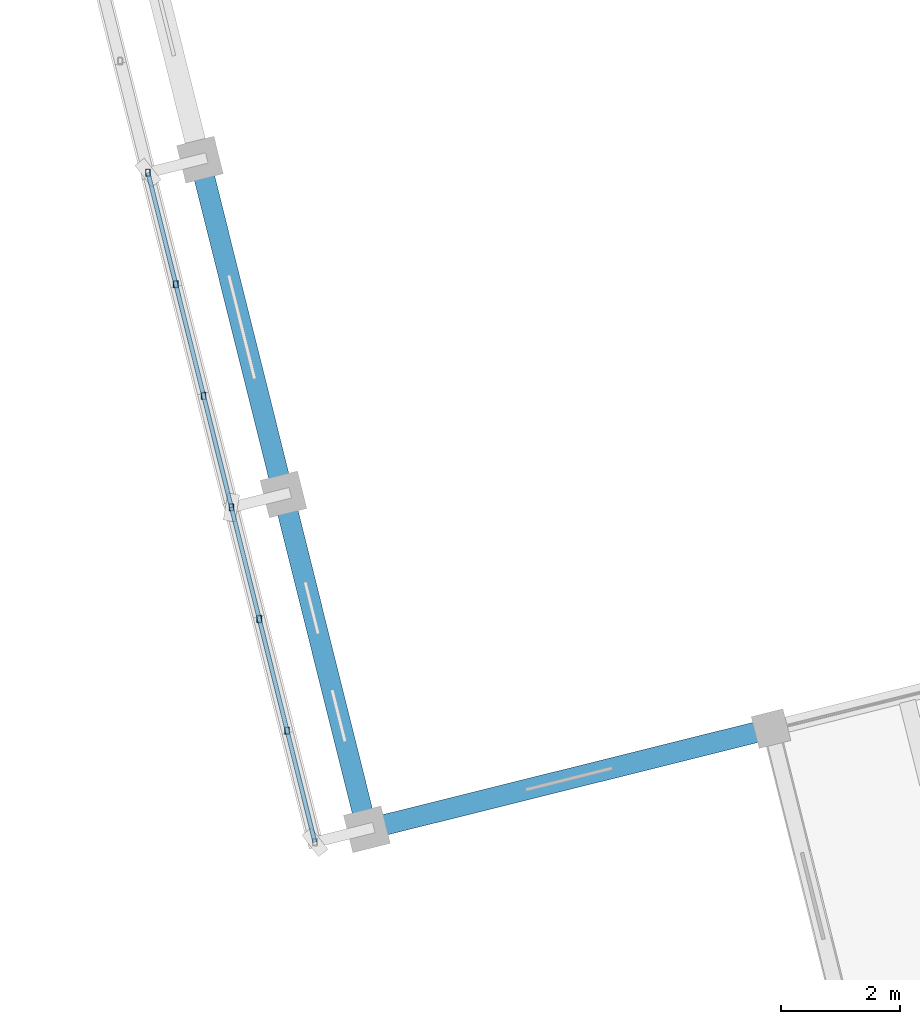
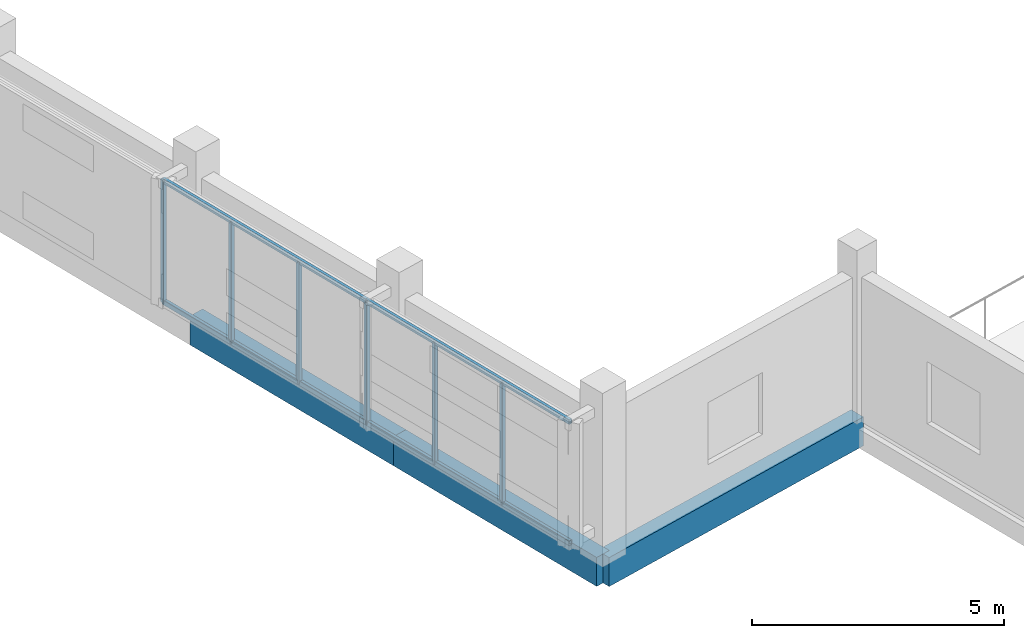
# One storey, part 4 of 137: 10 members, 3 beams.
"""IFC4 building model written with IfcOpenShell, lengths in metres."""

import ifcopenshell
import ifcopenshell.guid

model = None  # the IFC model being written
_history = None  # IfcOwnerHistory: only IFC2X3 demands one
_inside = {}  # id of a spatial element -> (the spatial element, [elements in it])
_under = {}  # id of a project, library or spatial element -> (it, [spatial elements below it])
_declared = {}  # id of a project -> (the project, [libraries it declares])
_typed = {}  # id of a type object -> (the type object, [elements of that type])
_made_of = {}  # id of a material, layer set ... -> (it, [elements and type objects made of it])


def new_model(schema):
    """Start an empty IFC model of exactly this schema.

    Asked for "IFC4X3", IfcOpenShell would pick the latest addendum, in which some entities
    have other attributes; the version numbers below select the first issue.
    IFC2X3 requires an IfcOwnerHistory on every rooted entity: one is made here for all.
    """
    global model, _history
    if schema == "IFC4X3":
        model = ifcopenshell.file(schema_version=(4, 3, 0, 0))
    else:
        model = ifcopenshell.file(schema=schema)
    _inside.clear()
    _under.clear()
    _declared.clear()
    _typed.clear()
    _made_of.clear()
    _history = None
    if model.schema == "IFC2X3":
        org = make("IfcOrganization", Name="unknown")
        user = make(
            "IfcPersonAndOrganization",
            ThePerson=make("IfcPerson", FamilyName="unknown"),
            TheOrganization=org,
        )
        app = make(
            "IfcApplication",
            ApplicationDeveloper=org,
            Version="unknown",
            ApplicationFullName="unknown",
            ApplicationIdentifier="unknown",
        )
        _history = make(
            "IfcOwnerHistory",
            OwningUser=user,
            OwningApplication=app,
            ChangeAction="ADDED",
            CreationDate=0,
        )
    return model


def make(cls, **values):
    """One entity of the class cls with the attributes given. An attribute that is None is left unset."""
    return model.create_entity(
        cls, **{name: value for name, value in values.items() if value is not None}
    )


def rooted(cls, **values):
    """An entity with a GlobalId (a new one), such as an element, a storey or a relation."""
    return make(cls, GlobalId=ifcopenshell.guid.new(), OwnerHistory=_history, **values)


def si_unit(unit_type, name, prefix=None):
    """IfcSIUnit, for example si_unit("LENGTHUNIT", "METRE", prefix="MILLI")."""
    return make("IfcSIUnit", UnitType=unit_type, Prefix=prefix, Name=name)


def assignment(units):
    """IfcUnitAssignment: the units of a project."""
    return None if units is None else make("IfcUnitAssignment", Units=units)


def point(xyz):
    """IfcCartesianPoint."""
    return None if xyz is None else make("IfcCartesianPoint", Coordinates=xyz)


def direction(xyz):
    """IfcDirection."""
    return None if xyz is None else make("IfcDirection", DirectionRatios=xyz)


def frame(location, z_axis=None, x_axis=None):
    """IfcAxis2Placement3D, a coordinate frame: its origin and axes. An axis left out is left unset."""
    return make(
        "IfcAxis2Placement3D",
        Location=point(location),
        Axis=direction(z_axis),
        RefDirection=direction(x_axis),
    )


def frame_2d(location, x_axis=None):
    """IfcAxis2Placement2D, a coordinate frame in the plane: its origin and x axis."""
    return make(
        "IfcAxis2Placement2D", Location=point(location), RefDirection=direction(x_axis)
    )


def origin():
    """The frame at (0, 0, 0) with its axes left unset."""
    return frame((0.0, 0.0, 0.0))


def origin_2d():
    """The frame at (0, 0) in the plane with its x axis left unset."""
    return frame_2d((0.0, 0.0))


def place(relative_to, where):
    """IfcLocalPlacement: puts the frame where relative to a parent placement (None: the world)."""
    return make(
        "IfcLocalPlacement", PlacementRelTo=relative_to, RelativePlacement=where
    )


def context(
    kind, dimensions, precision=None, world=None, true_north=None, identifier=None
):
    """IfcGeometricRepresentationContext, for example the 3D "Model" context."""
    return make(
        "IfcGeometricRepresentationContext",
        ContextIdentifier=identifier,
        ContextType=kind,
        CoordinateSpaceDimension=dimensions,
        Precision=precision,
        WorldCoordinateSystem=world,
        TrueNorth=true_north,
    )


def subcontext(parent, identifier, kind, view, scale=None):
    """IfcGeometricRepresentationSubContext, for example "Body" below "Model"."""
    return make(
        "IfcGeometricRepresentationSubContext",
        ContextIdentifier=identifier,
        ContextType=kind,
        ParentContext=parent,
        TargetScale=scale,
        TargetView=view,
    )


def project(units=None, contexts=None):
    """IfcProject with its units and contexts."""
    return rooted(
        "IfcProject",
        Name="project",
        RepresentationContexts=contexts,
        UnitsInContext=assignment(units),
    )


def spatial(cls, under=None, at=None, **own):
    """A site, building, storey or space (cls), placed at a placement, below another one or the project."""
    s = rooted(cls, ObjectPlacement=at, **own)
    if under is not None:
        _under.setdefault(under.id(), (under, []))[1].append(s)
    return s


def profile(cls, at=None, kind="AREA", **sizes):
    """A parametric profile (cls). Its sizes go by their IFC names, for example OverallWidth=200.0."""
    return make(cls, ProfileType=kind, Position=at, **sizes)


def rectangle(**sizes):
    """IfcRectangleProfileDef."""
    return profile("IfcRectangleProfileDef", **sizes)


def hollow_rectangle(**sizes):
    """IfcRectangleHollowProfileDef."""
    return profile("IfcRectangleHollowProfileDef", **sizes)


def extrude(swept, where, along, depth):
    """IfcExtrudedAreaSolid: the profile swept, set in the frame where, extruded along a direction by depth."""
    return make(
        "IfcExtrudedAreaSolid",
        SweptArea=swept,
        Position=where,
        ExtrudedDirection=direction(along),
        Depth=depth,
    )


def shape(context_of_items, identifier, shape_type, items):
    """IfcShapeRepresentation: the items that make up one representation, for example the "Body"."""
    return make(
        "IfcShapeRepresentation",
        ContextOfItems=context_of_items,
        RepresentationIdentifier=identifier,
        RepresentationType=shape_type,
        Items=items,
    )


def material(Name=None, Category=None):
    """IfcMaterial."""
    return make("IfcMaterial", Name=Name, Category=Category)


def material_profile(
    of_material, cross_section, Name=None, Category=None, Priority=None
):
    """IfcMaterialProfile: a cross section and its material."""
    return make(
        "IfcMaterialProfile",
        Name=Name,
        Material=of_material,
        Profile=cross_section,
        Priority=Priority,
        Category=Category,
    )


def profile_set(profiles, Name=None, composite=None):
    """IfcMaterialProfileSet."""
    return make(
        "IfcMaterialProfileSet",
        Name=Name,
        MaterialProfiles=profiles,
        CompositeProfile=composite,
    )


def made_of(thing, what):
    """Note that an element or type object is made of a material, layer set ...; save() writes the relation."""
    if what is not None:
        _made_of.setdefault(what.id(), (what, []))[1].append(thing)
    return thing


def type_object(cls, material=None, **own):
    """A type object (cls), such as IfcWallType, which elements share."""
    return made_of(rooted(cls, **own), material)


def element(
    cls,
    number,
    at=None,
    inside=None,
    cuts=None,
    type_object=None,
    material=None,
    context=None,
    identifier="Body",
    shape_type=None,
    held_by="IfcProductDefinitionShape",
    body=None,
    shapes=None,
    **own,
):
    """One element of the class cls, such as IfcWall. Its Tag is "e" and its number.

    at: its placement. inside: the storey or other place that contains it. cuts: it is an
    opening in that element (IfcRelVoidsElement). A single representation is given by context,
    identifier, shape_type and body (its items); several are given by shapes. held_by: the class
    of the entity that holds the representations. save() writes the other relations.
    """
    e = rooted(cls, Tag="e%d" % number, ObjectPlacement=at, **own)
    if body is not None:
        shapes = [shape(context, identifier, shape_type, body)]
    if shapes is not None:
        e.Representation = make(held_by, Representations=shapes)
    if inside is not None:
        _inside.setdefault(inside.id(), (inside, []))[1].append(e)
    if cuts is not None:
        rooted(
            "IfcRelVoidsElement", RelatingBuildingElement=cuts, RelatedOpeningElement=e
        )
    if type_object is not None:
        _typed.setdefault(type_object.id(), (type_object, []))[1].append(e)
    return made_of(e, material)


def aggregate(whole, parts):
    """IfcRelAggregates: a whole, such as a stair, and the parts it consists of."""
    return rooted("IfcRelAggregates", RelatingObject=whole, RelatedObjects=parts)


def save(model, path):
    """Write the relations noted so far, then the file.

    IfcRelAggregates (storeys below a building ...), IfcRelContainedInSpatialStructure (elements
    in a storey), IfcRelDefinesByType, IfcRelAssociatesMaterial and IfcRelDeclares: one each for
    every whole, place, type object, material and project.
    """
    for whole, parts in _under.values():
        aggregate(whole, parts)
    for where, things in _inside.values():
        rooted(
            "IfcRelContainedInSpatialStructure",
            RelatedElements=things,
            RelatingStructure=where,
        )
    for kind, things in _typed.values():
        rooted("IfcRelDefinesByType", RelatedObjects=things, RelatingType=kind)
    for what, things in _made_of.values():
        rooted("IfcRelAssociatesMaterial", RelatedObjects=things, RelatingMaterial=what)
    for by, libraries in _declared.values():
        rooted("IfcRelDeclares", RelatingContext=by, RelatedDefinitions=libraries)
    model.write(path)


model = new_model("IFC4")

# Units and contexts
model_context = context("Model", 3, precision=1e-05, world=origin(), true_north=direction((0.0, 1.0)))
body_context = subcontext(model_context, "Body", "Model", "MODEL_VIEW")
ifc_project = project(units=[si_unit("LENGTHUNIT", "METRE"), si_unit("AREAUNIT", "SQUARE_METRE"), si_unit("VOLUMEUNIT", "CUBIC_METRE"), si_unit("PLANEANGLEUNIT", "RADIAN"), si_unit("MASSUNIT", "GRAM", prefix="KILO")], contexts=[model_context])

# Site, building, storey
site_placement = place(None, origin())
site = spatial("IfcSite", under=ifc_project, at=site_placement, CompositionType="ELEMENT")
building_placement = place(site_placement, origin())
building = spatial("IfcBuilding", under=site, at=building_placement, Name="Cinderway Yard Community Centre", CompositionType="ELEMENT")
storey_placement = place(building_placement, frame((0.0, 0.0, 4.800048828125)))
storey = spatial("IfcBuildingStorey", under=building, at=storey_placement, Name="L01", CompositionType="ELEMENT", Elevation=4.800048828125)

# Members
ifc_material_1 = material(Name="Steel S355", Category="steel")
ifc_material_profile_1 = material_profile(ifc_material_1, hollow_rectangle(XDim=0.080078125, YDim=0.1201171875, WallThickness=0.00634765625, InnerFilletRadius=0.00634765625, OuterFilletRadius=0.0126953125, at=origin_2d()), Name="Steel S355")
ifc_profile_set_1 = profile_set([ifc_material_profile_1], Name="Steel S355")
member_type = type_object("IfcMemberType", Name="ENV-MEM-SCREEN-RAIL-120", PredefinedType="STRINGER", material=ifc_profile_set_1)
for number, where, z_axis, x_axis, name in (
    (1, (18.93603515625, 24.89892578125, 0.7099609375), (-0.241891840607, 0.970303219333, 0.0), (-0.970303219333, -0.241891840607, 0.0), "Screen support rail 0740-BOT"),
    (2, (18.93603515625, 24.89892578125, 3.639892578125), (-0.241891840607, 0.970303219333, 0.0), (-0.970303219333, -0.241891840607, 0.0), "Screen support rail 0741-TOP"),
):
    element("IfcMember", number, at=place(storey_placement, frame(where, z_axis=z_axis, x_axis=x_axis)), inside=storey, type_object=member_type, Name=name, PredefinedType="STRINGER", context=body_context, shape_type="SweptSolid", body=[
        extrude(hollow_rectangle(XDim=0.080078125, YDim=0.1201171875, WallThickness=0.00634765625, InnerFilletRadius=0.00634765625, OuterFilletRadius=0.0126953125, at=origin_2d()), origin(), (0.0, 0.0, 1.0), 5.800537109375),
    ])
for number, where, z_axis, x_axis, name in (
    (3, (18.468017578125, 26.77490234375, 0.68994140625), (0.0, 0.0, 1.0), (1.0, 0.0, 0.0), "Screen vertical mullion 0743"),
    (4, (18.0009765625, 28.65087890625, 0.68994140625), (0.0, 0.0, 1.0), (1.0, 0.0, 0.0), "Screen vertical mullion 0744"),
    (5, (17.532958984375, 30.527099609375, 0.68994140625), (0.0, 0.0, 1.0), (1.0, 0.0, 0.0), "Screen vertical mullion 0745"),
):
    element("IfcMember", number, at=place(storey_placement, frame(where, z_axis=z_axis, x_axis=x_axis)), inside=storey, type_object=member_type, Name=name, PredefinedType="STRINGER", context=body_context, shape_type="SweptSolid", body=[
        extrude(hollow_rectangle(XDim=0.080078125, YDim=0.1201171875, WallThickness=0.00634765625, InnerFilletRadius=0.00634765625, OuterFilletRadius=0.0126953125, at=origin_2d()), origin(), (0.0, 0.0, 1.0), 2.969970703125),
    ])
for number, where, z_axis, x_axis, name in (
    (6, (17.532958984375, 30.527099609375, 0.7099609375), (-0.241941244896, 0.97029090175, 0.0), (-0.97029090175, -0.241941244896, 0.0), "Screen support rail 0747-BOT"),
    (7, (17.532958984375, 30.527099609375, 3.639892578125), (-0.241941244896, 0.97029090175, 0.0), (-0.97029090175, -0.241941244896, 0.0), "Screen support rail 0748-TOP"),
):
    element("IfcMember", number, at=place(storey_placement, frame(where, z_axis=z_axis, x_axis=x_axis)), inside=storey, type_object=member_type, Name=name, PredefinedType="STRINGER", context=body_context, shape_type="SweptSolid", body=[
        extrude(hollow_rectangle(XDim=0.080078125, YDim=0.1201171875, WallThickness=0.00634765625, InnerFilletRadius=0.00634765625, OuterFilletRadius=0.0126953125, at=origin_2d()), origin(), (0.0, 0.0, 1.0), 5.79931640625),
    ])
for number, where, z_axis, x_axis, name in (
    (8, (17.06494140625, 32.403076171875, 0.68994140625), (0.0, 0.0, 1.0), (1.0, 0.0, 0.0), "Screen vertical mullion 0749"),
    (9, (16.597900390625, 34.278076171875, 0.68994140625), (0.0, 0.0, 1.0), (1.0, 0.0, 0.0), "Screen vertical mullion 0750"),
    (10, (16.1298828125, 36.154052734375, 0.68994140625), (0.0, 0.0, 1.0), (1.0, 0.0, 0.0), "Screen vertical mullion 0751"),
):
    element("IfcMember", number, at=place(storey_placement, frame(where, z_axis=z_axis, x_axis=x_axis)), inside=storey, type_object=member_type, Name=name, PredefinedType="STRINGER", context=body_context, shape_type="SweptSolid", body=[
        extrude(hollow_rectangle(XDim=0.080078125, YDim=0.1201171875, WallThickness=0.00634765625, InnerFilletRadius=0.00634765625, OuterFilletRadius=0.0126953125, at=origin_2d()), origin(), (0.0, 0.0, 1.0), 2.969970703125),
    ])

# Beams
ifc_material_2 = material(Name="Concrete C35/45", Category="concrete")
ifc_material_profile_2 = material_profile(ifc_material_2, rectangle(XDim=0.35009765625, YDim=0.699951171875, at=origin_2d()), Name="Concrete C35/45")
ifc_profile_set_2 = profile_set([ifc_material_profile_2], Name="Concrete C35/45")
beam_type = type_object("IfcBeamType", Name="STR-BM-RC350X700", PredefinedType="BEAM", material=ifc_profile_set_2)
beam_1_placement = place(storey_placement, frame((19.80908203125, 25.116943359375, -0.35009765625), z_axis=(-0.241891840607, 0.970303219333, 0.0), x_axis=(-0.970303219333, -0.241891840607, 0.0)))
element("IfcBeam", 11, at=beam_1_placement, inside=storey, type_object=beam_type, Name="Main Hall west ring beam STR-BM-L01-BG07-0063", PredefinedType="BEAM", context=body_context, shape_type="SweptSolid", body=[
    extrude(rectangle(XDim=0.35009765625, YDim=0.699951171875, at=origin_2d()), origin(), (0.0, 0.0, 1.0), 5.800537109375),
])
beam_2_placement = place(storey_placement, frame((18.406005859375, 30.7451171875, -0.35009765625), z_axis=(-0.241941244896, 0.97029090175, 0.0), x_axis=(-0.97029090175, -0.241941244896, 0.0)))
element("IfcBeam", 12, at=beam_2_placement, inside=storey, type_object=beam_type, Name="Main Hall west ring beam STR-BM-L01-BG07-0064", PredefinedType="BEAM", context=body_context, shape_type="SweptSolid", body=[
    extrude(rectangle(XDim=0.35009765625, YDim=0.699951171875, at=origin_2d()), origin(), (0.0, 0.0, 1.0), 5.79931640625),
])
beam_3_placement = place(storey_placement, frame((19.80908203125, 25.116943359375, -0.35009765625), z_axis=(0.970314570401, 0.241846303398, 0.0), x_axis=(-0.241846303398, 0.970314570401, 0.0)))
element("IfcBeam", 13, at=beam_3_placement, inside=storey, type_object=beam_type, Name="Main Hall return ring beam STR-BM-L01-BG07-0107", PredefinedType="BEAM", context=body_context, shape_type="SweptSolid", body=[
    extrude(rectangle(XDim=0.35009765625, YDim=0.699951171875, at=origin_2d()), origin(), (0.0, 0.0, 1.0), 7.000732421875),
])

save(model, "model.ifc")
